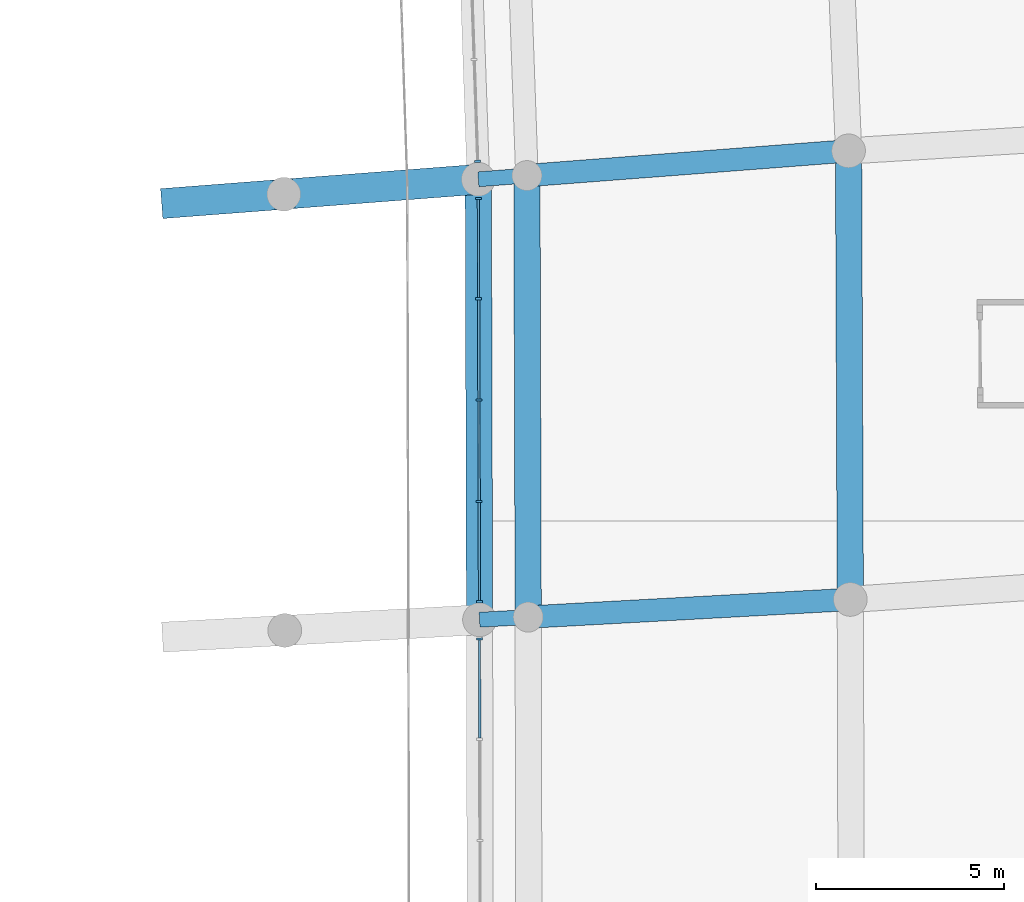
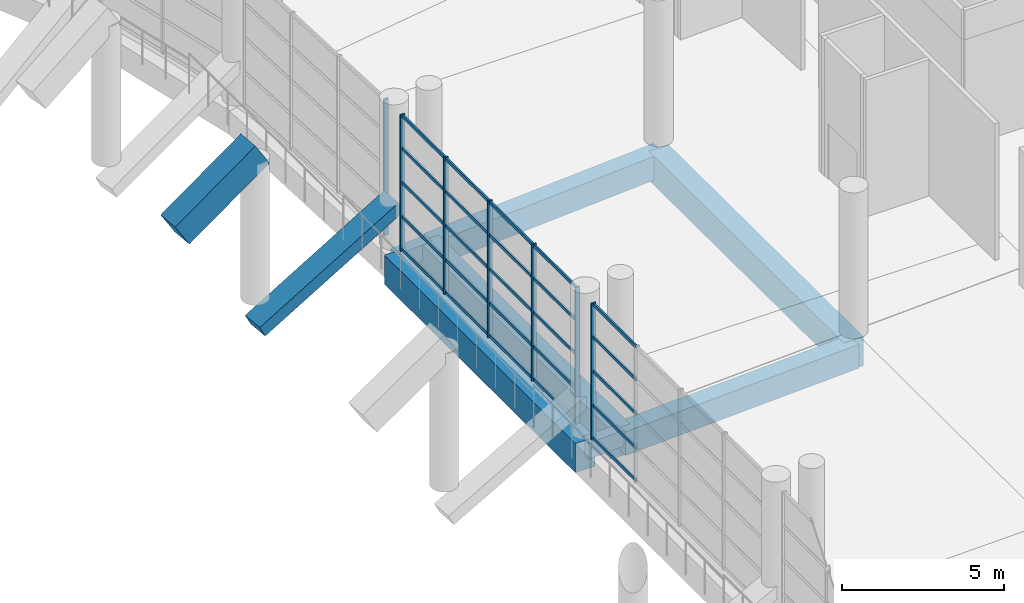
# One storey, part 92 of 271: 32 members, 9 beams, 3 elements without a shape of their own.
"""IFC4 building model written with IfcOpenShell, lengths in metres."""

from ifc_helpers import new_model, si_unit, direction, frame, origin, origin_2d, place, context, subcontext, project, spatial, rectangle, extrude, material, layer, layer_set, material_profile, profile_set, type_object, element, aggregate, save


model = new_model("IFC4")

# Units and contexts
model_context = context("Model", 3, precision=1e-05, world=origin(), true_north=direction((0.0, 1.0)))
body_context = subcontext(model_context, "Body", "Model", "MODEL_VIEW")
ifc_project = project(units=[si_unit("LENGTHUNIT", "METRE"), si_unit("AREAUNIT", "SQUARE_METRE"), si_unit("VOLUMEUNIT", "CUBIC_METRE"), si_unit("PLANEANGLEUNIT", "RADIAN"), si_unit("MASSUNIT", "GRAM", prefix="KILO")], contexts=[model_context])

# Site, building, storey
site_placement = place(None, origin())
site = spatial("IfcSite", under=ifc_project, at=site_placement, CompositionType="ELEMENT")
building_placement = place(site_placement, origin())
building = spatial("IfcBuilding", under=site, at=building_placement, Name="Meseta Stadium", CompositionType="ELEMENT")
storey_placement = place(building_placement, frame((0.0, 0.0, 6.5)))
storey = spatial("IfcBuildingStorey", under=building, at=storey_placement, Name="L01", CompositionType="ELEMENT", Elevation=6.5)

# Curtain wall, member
ifc_material_1 = material(Name="Aluminium", Category="aluminium")
ifc_layer = layer(ifc_material_1, 0.199951171875)
ifc_layer_set = layer_set([ifc_layer], Name="Club glazing curtain wall")
curtain_wall_type = type_object("IfcCurtainWallType", Name="Club glazing curtain wall", PredefinedType="NOTDEFINED", material=ifc_layer_set)
curtain_wall_1_placement = place(storey_placement, origin())
curtain_wall_1 = element("IfcCurtainWall", 1, at=curtain_wall_1_placement, inside=storey, type_object=curtain_wall_type, Name="Club glazing bay 06", PredefinedType="NOTDEFINED")
ifc_material_2 = material(Name="Aluminium", Category="aluminium")
ifc_material_profile_1 = material_profile(ifc_material_2, rectangle(XDim=0.159912109375, YDim=0.06005859375, at=origin_2d()), Name="CW 160x60")
ifc_profile_set_1 = profile_set([ifc_material_profile_1], Name="Aluminium")
member_type_1 = type_object("IfcMemberType", Name="CW mullion 60x160", PredefinedType="MULLION", material=ifc_profile_set_1)
member_1_placement = place(storey_placement, frame((63.567138671875, 28.8525390625, 0.0), z_axis=(0.0, 0.0, 1.0), x_axis=(-0.999998297516, -0.0018452545, 0.0)))
member_1 = element("IfcMember", 2, at=member_1_placement, type_object=member_type_1, Name="CWC mullion 5", PredefinedType="MULLION", context=body_context, shape_type="SweptSolid", body=[
    extrude(rectangle(XDim=0.159912109375, YDim=0.06005859375, at=origin_2d()), origin(), (0.0, 0.0, 1.0), 5.14990234375),
])

# Curtain wall, members
curtain_wall_2_placement = place(storey_placement, origin())
curtain_wall_2 = element("IfcCurtainWall", 3, at=curtain_wall_2_placement, inside=storey, type_object=curtain_wall_type, Name="Club glazing bay 07", PredefinedType="NOTDEFINED")
member_2_placement = place(storey_placement, frame((63.564697265625, 29.842041015625, 0.0), z_axis=(0.0, 0.0, 1.0), x_axis=(-0.999996195715, -0.002758360998, 0.0)))
member_2 = element("IfcMember", 4, at=member_2_placement, type_object=member_type_1, Name="CWC mullion 1", PredefinedType="MULLION", context=body_context, shape_type="SweptSolid", body=[
    extrude(rectangle(XDim=0.159912109375, YDim=0.06005859375, at=origin_2d()), origin(), (0.0, 0.0, 1.0), 5.14990234375),
])
member_3_placement = place(storey_placement, frame((63.557373046875, 32.51513671875, 0.0), z_axis=(0.0, 0.0, 1.0), x_axis=(-0.999996195715, -0.002758360998, 0.0)))
member_3 = element("IfcMember", 5, at=member_3_placement, type_object=member_type_1, Name="CWC mullion 2", PredefinedType="MULLION", context=body_context, shape_type="SweptSolid", body=[
    extrude(rectangle(XDim=0.159912109375, YDim=0.06005859375, at=origin_2d()), origin(), (0.0, 0.0, 1.0), 5.14990234375),
])
member_4_placement = place(storey_placement, frame((63.550048828125, 35.21826171875, 0.0), z_axis=(0.0, 0.0, 1.0), x_axis=(-0.999996195715, -0.002758360998, 0.0)))
member_4 = element("IfcMember", 6, at=member_4_placement, type_object=member_type_1, Name="CWC mullion 3", PredefinedType="MULLION", context=body_context, shape_type="SweptSolid", body=[
    extrude(rectangle(XDim=0.159912109375, YDim=0.06005859375, at=origin_2d()), origin(), (0.0, 0.0, 1.0), 5.14990234375),
])
member_5_placement = place(storey_placement, frame((63.54248046875, 37.92138671875, 0.0), z_axis=(0.0, 0.0, 1.0), x_axis=(-0.999996195715, -0.002758360998, 0.0)))
member_5 = element("IfcMember", 7, at=member_5_placement, type_object=member_type_1, Name="CWC mullion 4", PredefinedType="MULLION", context=body_context, shape_type="SweptSolid", body=[
    extrude(rectangle(XDim=0.159912109375, YDim=0.06005859375, at=origin_2d()), origin(), (0.0, 0.0, 1.0), 5.14990234375),
])
member_6_placement = place(storey_placement, frame((63.53515625, 40.59423828125, 0.0), z_axis=(0.0, 0.0, 1.0), x_axis=(-0.999996195715, -0.002758360998, 0.0)))
member_6 = element("IfcMember", 8, at=member_6_placement, type_object=member_type_1, Name="CWC mullion 5", PredefinedType="MULLION", context=body_context, shape_type="SweptSolid", body=[
    extrude(rectangle(XDim=0.159912109375, YDim=0.06005859375, at=origin_2d()), origin(), (0.0, 0.0, 1.0), 5.14990234375),
])

# Curtain wall, member
curtain_wall_3_placement = place(storey_placement, origin())
curtain_wall_3 = element("IfcCurtainWall", 9, at=curtain_wall_3_placement, inside=storey, type_object=curtain_wall_type, Name="Club glazing bay 08", PredefinedType="NOTDEFINED")
member_7_placement = place(storey_placement, frame((63.517333984375, 41.583740234375, 0.0), z_axis=(0.0, 0.0, 1.0), x_axis=(-0.999408203812, -0.034398287063, 0.0)))
member_7 = element("IfcMember", 10, at=member_7_placement, type_object=member_type_1, Name="CWC mullion 1", PredefinedType="MULLION", context=body_context, shape_type="SweptSolid", body=[
    extrude(rectangle(XDim=0.159912109375, YDim=0.06005859375, at=origin_2d()), origin(), (0.0, 0.0, 1.0), 5.14990234375),
])
aggregate(curtain_wall_3, [member_7])

# Member
ifc_material_3 = material(Name="Aluminium", Category="aluminium")
ifc_material_profile_2 = material_profile(ifc_material_3, rectangle(XDim=0.06005859375, YDim=0.1201171875, at=origin_2d()), Name="CW 60x120")
ifc_profile_set_2 = profile_set([ifc_material_profile_2], Name="Aluminium")
member_type_2 = type_object("IfcMemberType", Name="CW transom 60x120", PredefinedType="USERDEFINED", material=ifc_profile_set_2)
member_8_placement = place(storey_placement, frame((63.572021484375, 26.208984375, 0.06005859375), z_axis=(-0.001868282587, 0.999998254759, 0.0), x_axis=(-0.999998254759, -0.001868282587, 0.0)))
member_8 = element("IfcMember", 11, at=member_8_placement, type_object=member_type_2, Name="CWC transom 4.1", ObjectType="TRANSOM", PredefinedType="USERDEFINED", context=body_context, shape_type="SweptSolid", body=[
    extrude(rectangle(XDim=0.06005859375, YDim=0.1201171875, at=origin_2d()), origin(), (0.0, 0.0, 1.0), 2.613525390625),
])

member_9_placement = place(storey_placement, frame((63.572021484375, 26.208984375, 1.28759765625), z_axis=(-0.001868282587, 0.999998254759, 0.0), x_axis=(-0.999998254759, -0.001868282587, 0.0)))
member_9 = element("IfcMember", 12, at=member_9_placement, type_object=member_type_2, Name="CWC transom 4.2", ObjectType="TRANSOM", PredefinedType="USERDEFINED", context=body_context, shape_type="SweptSolid", body=[
    extrude(rectangle(XDim=0.06005859375, YDim=0.1201171875, at=origin_2d()), origin(), (0.0, 0.0, 1.0), 2.613525390625),
])

member_10_placement = place(storey_placement, frame((63.572021484375, 26.208984375, 2.574951171875), z_axis=(-0.001868282587, 0.999998254759, 0.0), x_axis=(-0.999998254759, -0.001868282587, 0.0)))
member_10 = element("IfcMember", 13, at=member_10_placement, type_object=member_type_2, Name="CWC transom 4.3", ObjectType="TRANSOM", PredefinedType="USERDEFINED", context=body_context, shape_type="SweptSolid", body=[
    extrude(rectangle(XDim=0.06005859375, YDim=0.1201171875, at=origin_2d()), origin(), (0.0, 0.0, 1.0), 2.613525390625),
])

member_11_placement = place(storey_placement, frame((63.572021484375, 26.208984375, 3.862548828125), z_axis=(-0.001868282587, 0.999998254759, 0.0), x_axis=(-0.999998254759, -0.001868282587, 0.0)))
member_11 = element("IfcMember", 14, at=member_11_placement, type_object=member_type_2, Name="CWC transom 4.4", ObjectType="TRANSOM", PredefinedType="USERDEFINED", context=body_context, shape_type="SweptSolid", body=[
    extrude(rectangle(XDim=0.06005859375, YDim=0.1201171875, at=origin_2d()), origin(), (0.0, 0.0, 1.0), 2.613525390625),
])

member_12_placement = place(storey_placement, frame((63.572021484375, 26.208984375, 5.090087890625), z_axis=(-0.001868282587, 0.999998254759, 0.0), x_axis=(-0.999998254759, -0.001868282587, 0.0)))
member_12 = element("IfcMember", 15, at=member_12_placement, type_object=member_type_2, Name="CWC transom 4.5", ObjectType="TRANSOM", PredefinedType="USERDEFINED", context=body_context, shape_type="SweptSolid", body=[
    extrude(rectangle(XDim=0.06005859375, YDim=0.1201171875, at=origin_2d()), origin(), (0.0, 0.0, 1.0), 2.613525390625),
])

aggregate(curtain_wall_1, [member_1, member_8, member_9, member_10, member_11, member_12])

member_13_placement = place(storey_placement, frame((63.564697265625, 29.8720703125, 0.06005859375), z_axis=(-0.002709510749, 0.999996329269, 0.0), x_axis=(-0.999996329269, -0.002709510749, 0.0)))
member_13 = element("IfcMember", 16, at=member_13_placement, type_object=member_type_2, Name="CWC transom 1.1", ObjectType="TRANSOM", PredefinedType="USERDEFINED", context=body_context, shape_type="SweptSolid", body=[
    extrude(rectangle(XDim=0.06005859375, YDim=0.1201171875, at=origin_2d()), origin(), (0.0, 0.0, 1.0), 2.613037109375),
])

member_14_placement = place(storey_placement, frame((63.564697265625, 29.8720703125, 1.28759765625), z_axis=(-0.002709510749, 0.999996329269, 0.0), x_axis=(-0.999996329269, -0.002709510749, 0.0)))
member_14 = element("IfcMember", 17, at=member_14_placement, type_object=member_type_2, Name="CWC transom 1.2", ObjectType="TRANSOM", PredefinedType="USERDEFINED", context=body_context, shape_type="SweptSolid", body=[
    extrude(rectangle(XDim=0.06005859375, YDim=0.1201171875, at=origin_2d()), origin(), (0.0, 0.0, 1.0), 2.613037109375),
])

member_15_placement = place(storey_placement, frame((63.564697265625, 29.8720703125, 2.574951171875), z_axis=(-0.002709510749, 0.999996329269, 0.0), x_axis=(-0.999996329269, -0.002709510749, 0.0)))
member_15 = element("IfcMember", 18, at=member_15_placement, type_object=member_type_2, Name="CWC transom 1.3", ObjectType="TRANSOM", PredefinedType="USERDEFINED", context=body_context, shape_type="SweptSolid", body=[
    extrude(rectangle(XDim=0.06005859375, YDim=0.1201171875, at=origin_2d()), origin(), (0.0, 0.0, 1.0), 2.613037109375),
])

member_16_placement = place(storey_placement, frame((63.564697265625, 29.8720703125, 3.862548828125), z_axis=(-0.002709510749, 0.999996329269, 0.0), x_axis=(-0.999996329269, -0.002709510749, 0.0)))
member_16 = element("IfcMember", 19, at=member_16_placement, type_object=member_type_2, Name="CWC transom 1.4", ObjectType="TRANSOM", PredefinedType="USERDEFINED", context=body_context, shape_type="SweptSolid", body=[
    extrude(rectangle(XDim=0.06005859375, YDim=0.1201171875, at=origin_2d()), origin(), (0.0, 0.0, 1.0), 2.613037109375),
])

member_17_placement = place(storey_placement, frame((63.564697265625, 29.8720703125, 5.090087890625), z_axis=(-0.002709510749, 0.999996329269, 0.0), x_axis=(-0.999996329269, -0.002709510749, 0.0)))
member_17 = element("IfcMember", 20, at=member_17_placement, type_object=member_type_2, Name="CWC transom 1.5", ObjectType="TRANSOM", PredefinedType="USERDEFINED", context=body_context, shape_type="SweptSolid", body=[
    extrude(rectangle(XDim=0.06005859375, YDim=0.1201171875, at=origin_2d()), origin(), (0.0, 0.0, 1.0), 2.613037109375),
])

member_18_placement = place(storey_placement, frame((63.557373046875, 32.545166015625, 0.06005859375), z_axis=(-0.002771095956, 0.999996160506, 0.0), x_axis=(-0.999996160506, -0.002771095956, 0.0)))
member_18 = element("IfcMember", 21, at=member_18_placement, type_object=member_type_2, Name="CWC transom 2.1", ObjectType="TRANSOM", PredefinedType="USERDEFINED", context=body_context, shape_type="SweptSolid", body=[
    extrude(rectangle(XDim=0.06005859375, YDim=0.1201171875, at=origin_2d()), origin(), (0.0, 0.0, 1.0), 2.64306640625),
])

member_19_placement = place(storey_placement, frame((63.557373046875, 32.545166015625, 1.28759765625), z_axis=(-0.002771095956, 0.999996160506, 0.0), x_axis=(-0.999996160506, -0.002771095956, 0.0)))
member_19 = element("IfcMember", 22, at=member_19_placement, type_object=member_type_2, Name="CWC transom 2.2", ObjectType="TRANSOM", PredefinedType="USERDEFINED", context=body_context, shape_type="SweptSolid", body=[
    extrude(rectangle(XDim=0.06005859375, YDim=0.1201171875, at=origin_2d()), origin(), (0.0, 0.0, 1.0), 2.64306640625),
])

member_20_placement = place(storey_placement, frame((63.557373046875, 32.545166015625, 2.574951171875), z_axis=(-0.002771095956, 0.999996160506, 0.0), x_axis=(-0.999996160506, -0.002771095956, 0.0)))
member_20 = element("IfcMember", 23, at=member_20_placement, type_object=member_type_2, Name="CWC transom 2.3", ObjectType="TRANSOM", PredefinedType="USERDEFINED", context=body_context, shape_type="SweptSolid", body=[
    extrude(rectangle(XDim=0.06005859375, YDim=0.1201171875, at=origin_2d()), origin(), (0.0, 0.0, 1.0), 2.64306640625),
])

member_21_placement = place(storey_placement, frame((63.557373046875, 32.545166015625, 3.862548828125), z_axis=(-0.002771095956, 0.999996160506, 0.0), x_axis=(-0.999996160506, -0.002771095956, 0.0)))
member_21 = element("IfcMember", 24, at=member_21_placement, type_object=member_type_2, Name="CWC transom 2.4", ObjectType="TRANSOM", PredefinedType="USERDEFINED", context=body_context, shape_type="SweptSolid", body=[
    extrude(rectangle(XDim=0.06005859375, YDim=0.1201171875, at=origin_2d()), origin(), (0.0, 0.0, 1.0), 2.64306640625),
])

member_22_placement = place(storey_placement, frame((63.557373046875, 32.545166015625, 5.090087890625), z_axis=(-0.002771095956, 0.999996160506, 0.0), x_axis=(-0.999996160506, -0.002771095956, 0.0)))
member_22 = element("IfcMember", 25, at=member_22_placement, type_object=member_type_2, Name="CWC transom 2.5", ObjectType="TRANSOM", PredefinedType="USERDEFINED", context=body_context, shape_type="SweptSolid", body=[
    extrude(rectangle(XDim=0.06005859375, YDim=0.1201171875, at=origin_2d()), origin(), (0.0, 0.0, 1.0), 2.64306640625),
])

member_23_placement = place(storey_placement, frame((63.5498046875, 35.248291015625, 0.06005859375), z_axis=(-0.002771095956, 0.999996160506, 0.0), x_axis=(-0.999996160506, -0.002771095956, 0.0)))
member_23 = element("IfcMember", 26, at=member_23_placement, type_object=member_type_2, Name="CWC transom 3.1", ObjectType="TRANSOM", PredefinedType="USERDEFINED", context=body_context, shape_type="SweptSolid", body=[
    extrude(rectangle(XDim=0.06005859375, YDim=0.1201171875, at=origin_2d()), origin(), (0.0, 0.0, 1.0), 2.64306640625),
])

member_24_placement = place(storey_placement, frame((63.5498046875, 35.248291015625, 1.28759765625), z_axis=(-0.002771095956, 0.999996160506, 0.0), x_axis=(-0.999996160506, -0.002771095956, 0.0)))
member_24 = element("IfcMember", 27, at=member_24_placement, type_object=member_type_2, Name="CWC transom 3.2", ObjectType="TRANSOM", PredefinedType="USERDEFINED", context=body_context, shape_type="SweptSolid", body=[
    extrude(rectangle(XDim=0.06005859375, YDim=0.1201171875, at=origin_2d()), origin(), (0.0, 0.0, 1.0), 2.64306640625),
])

member_25_placement = place(storey_placement, frame((63.5498046875, 35.248291015625, 2.574951171875), z_axis=(-0.002771095956, 0.999996160506, 0.0), x_axis=(-0.999996160506, -0.002771095956, 0.0)))
member_25 = element("IfcMember", 28, at=member_25_placement, type_object=member_type_2, Name="CWC transom 3.3", ObjectType="TRANSOM", PredefinedType="USERDEFINED", context=body_context, shape_type="SweptSolid", body=[
    extrude(rectangle(XDim=0.06005859375, YDim=0.1201171875, at=origin_2d()), origin(), (0.0, 0.0, 1.0), 2.64306640625),
])

member_26_placement = place(storey_placement, frame((63.5498046875, 35.248291015625, 3.862548828125), z_axis=(-0.002771095956, 0.999996160506, 0.0), x_axis=(-0.999996160506, -0.002771095956, 0.0)))
member_26 = element("IfcMember", 29, at=member_26_placement, type_object=member_type_2, Name="CWC transom 3.4", ObjectType="TRANSOM", PredefinedType="USERDEFINED", context=body_context, shape_type="SweptSolid", body=[
    extrude(rectangle(XDim=0.06005859375, YDim=0.1201171875, at=origin_2d()), origin(), (0.0, 0.0, 1.0), 2.64306640625),
])

member_27_placement = place(storey_placement, frame((63.5498046875, 35.248291015625, 5.090087890625), z_axis=(-0.002771095956, 0.999996160506, 0.0), x_axis=(-0.999996160506, -0.002771095956, 0.0)))
member_27 = element("IfcMember", 30, at=member_27_placement, type_object=member_type_2, Name="CWC transom 3.5", ObjectType="TRANSOM", PredefinedType="USERDEFINED", context=body_context, shape_type="SweptSolid", body=[
    extrude(rectangle(XDim=0.06005859375, YDim=0.1201171875, at=origin_2d()), origin(), (0.0, 0.0, 1.0), 2.64306640625),
])

member_28_placement = place(storey_placement, frame((63.54248046875, 37.951416015625, 0.06005859375), z_axis=(-0.002802941433, 0.999996071752, 0.0), x_axis=(-0.999996071752, -0.002802941433, 0.0)))
member_28 = element("IfcMember", 31, at=member_28_placement, type_object=member_type_2, Name="CWC transom 4.1", ObjectType="TRANSOM", PredefinedType="USERDEFINED", context=body_context, shape_type="SweptSolid", body=[
    extrude(rectangle(XDim=0.06005859375, YDim=0.1201171875, at=origin_2d()), origin(), (0.0, 0.0, 1.0), 2.613037109375),
])

member_29_placement = place(storey_placement, frame((63.54248046875, 37.951416015625, 1.28759765625), z_axis=(-0.002802941433, 0.999996071752, 0.0), x_axis=(-0.999996071752, -0.002802941433, 0.0)))
member_29 = element("IfcMember", 32, at=member_29_placement, type_object=member_type_2, Name="CWC transom 4.2", ObjectType="TRANSOM", PredefinedType="USERDEFINED", context=body_context, shape_type="SweptSolid", body=[
    extrude(rectangle(XDim=0.06005859375, YDim=0.1201171875, at=origin_2d()), origin(), (0.0, 0.0, 1.0), 2.613037109375),
])

member_30_placement = place(storey_placement, frame((63.54248046875, 37.951416015625, 2.574951171875), z_axis=(-0.002802941433, 0.999996071752, 0.0), x_axis=(-0.999996071752, -0.002802941433, 0.0)))
member_30 = element("IfcMember", 33, at=member_30_placement, type_object=member_type_2, Name="CWC transom 4.3", ObjectType="TRANSOM", PredefinedType="USERDEFINED", context=body_context, shape_type="SweptSolid", body=[
    extrude(rectangle(XDim=0.06005859375, YDim=0.1201171875, at=origin_2d()), origin(), (0.0, 0.0, 1.0), 2.613037109375),
])

member_31_placement = place(storey_placement, frame((63.54248046875, 37.951416015625, 3.862548828125), z_axis=(-0.002802941433, 0.999996071752, 0.0), x_axis=(-0.999996071752, -0.002802941433, 0.0)))
member_31 = element("IfcMember", 34, at=member_31_placement, type_object=member_type_2, Name="CWC transom 4.4", ObjectType="TRANSOM", PredefinedType="USERDEFINED", context=body_context, shape_type="SweptSolid", body=[
    extrude(rectangle(XDim=0.06005859375, YDim=0.1201171875, at=origin_2d()), origin(), (0.0, 0.0, 1.0), 2.613037109375),
])

member_32_placement = place(storey_placement, frame((63.54248046875, 37.951416015625, 5.090087890625), z_axis=(-0.002802941433, 0.999996071752, 0.0), x_axis=(-0.999996071752, -0.002802941433, 0.0)))
member_32 = element("IfcMember", 35, at=member_32_placement, type_object=member_type_2, Name="CWC transom 4.5", ObjectType="TRANSOM", PredefinedType="USERDEFINED", context=body_context, shape_type="SweptSolid", body=[
    extrude(rectangle(XDim=0.06005859375, YDim=0.1201171875, at=origin_2d()), origin(), (0.0, 0.0, 1.0), 2.613037109375),
])

aggregate(curtain_wall_2, [member_2, member_3, member_4, member_5, member_6, member_13, member_14, member_15, member_16, member_17, member_18, member_19, member_20, member_21, member_22, member_23, member_24, member_25, member_26, member_27, member_28, member_29, member_30, member_31, member_32])

# Beams
ifc_material_4 = material(Name="Concrete C40/50", Category="concrete")
ifc_material_profile_3 = material_profile(ifc_material_4, rectangle(XDim=0.39990234375, YDim=0.60009765625, at=origin_2d()), Name="RC 400x600")
ifc_profile_set_3 = profile_set([ifc_material_profile_3], Name="Concrete C40/50")
beam_type_1 = type_object("IfcBeamType", Name="RC beam 400x600", PredefinedType="BEAM", material=ifc_profile_set_3)
for number, where, z_axis, x_axis, name in (
    (36, (63.566162109375, 29.3623046875, -0.64990234375), (0.998505663725, 0.054648325775, 0.0), (-0.054648325775, 0.998505663725, 0.0), "L01 radial beam frame 7 line C to D"),
    (37, (63.53369140625, 41.1044921875, -0.64990234375), (0.99706000661, 0.076624690657, 0.0), (-0.076624690657, 0.99706000661, 0.0), "L01 radial beam frame 8 line C to D"),
):
    element("IfcBeam", number, at=place(storey_placement, frame(where, z_axis=z_axis, x_axis=x_axis)), inside=storey, type_object=beam_type_1, Name=name, PredefinedType="BEAM", context=body_context, shape_type="SweptSolid", body=[
        extrude(rectangle(XDim=0.39990234375, YDim=0.60009765625, at=origin_2d()), origin(), (0.0, 0.0, 1.0), 1.300048828125),
    ])
ifc_material_5 = material(Name="Concrete C40/50", Category="concrete")
ifc_material_profile_4 = material_profile(ifc_material_5, rectangle(XDim=0.60009765625, YDim=0.89990234375, at=origin_2d()), Name="RC 600x900")
ifc_profile_set_4 = profile_set([ifc_material_profile_4], Name="Concrete C40/50")
beam_type_2 = type_object("IfcBeamType", Name="RC beam 600x900", PredefinedType="BEAM", material=ifc_profile_set_4)
for number, where, z_axis, x_axis, name in (
    (38, (64.8642578125, 29.433349609375, -0.800048828125), (0.998501047384, 0.054732607948, 0.0), (-0.054732607948, 0.998501047384, 0.0), "L01 radial beam frame 7 line D to E"),
    (39, (64.829833984375, 41.2041015625, -0.800048828125), (0.997066996267, 0.076533685105, 0.0), (-0.076533685105, 0.997066996267, 0.0), "L01 radial beam frame 8 line D to E"),
):
    element("IfcBeam", number, at=place(storey_placement, frame(where, z_axis=z_axis, x_axis=x_axis)), inside=storey, type_object=beam_type_2, Name=name, PredefinedType="BEAM", context=body_context, shape_type="SweptSolid", body=[
        extrude(rectangle(XDim=0.60009765625, YDim=0.89990234375, at=origin_2d()), origin(), (0.0, 0.0, 1.0), 8.60009765625),
    ])
ifc_material_6 = material(Name="Concrete C40/50", Category="concrete")
ifc_material_profile_5 = material_profile(ifc_material_6, rectangle(XDim=0.699951171875, YDim=1.10009765625, at=origin_2d()), Name="RC 700x1100")
ifc_profile_set_5 = profile_set([ifc_material_profile_5], Name="Concrete C40/50")
beam_type_3 = type_object("IfcBeamType", Name="RC beam 700x1100", PredefinedType="BEAM", material=ifc_profile_set_5)
beam_1_placement = place(storey_placement, frame((63.566162109375, 29.3623046875, -0.89990234375), z_axis=(-0.002765292155, 0.999996176572, 0.0), x_axis=(-0.999996176572, -0.002765292155, 0.0)))
element("IfcBeam", 40, at=beam_1_placement, inside=storey, type_object=beam_type_3, Name="L01 ring beam frame 7 line C", PredefinedType="BEAM", context=body_context, shape_type="SweptSolid", body=[
    extrude(rectangle(XDim=0.699951171875, YDim=1.10009765625, at=origin_2d()), origin(), (0.0, 0.0, 1.0), 11.7421875),
])
beam_2_placement = place(storey_placement, frame((64.8642578125, 29.433349609375, -0.89990234375), z_axis=(-0.002924509925, 0.999995723612, 0.0), x_axis=(-0.999995723612, -0.002924509925, 0.0)))
element("IfcBeam", 41, at=beam_2_placement, inside=storey, type_object=beam_type_3, Name="L01 ring beam frame 7 line D", PredefinedType="BEAM", context=body_context, shape_type="SweptSolid", body=[
    extrude(rectangle(XDim=0.699951171875, YDim=1.10009765625, at=origin_2d()), origin(), (0.0, 0.0, 1.0), 11.770751953125),
])
beam_3_placement = place(storey_placement, frame((73.451416015625, 29.904052734375, -0.89990234375), z_axis=(-0.003899441576, 0.999992397149, 0.0), x_axis=(-0.999992397149, -0.003899441576, 0.0)))
element("IfcBeam", 42, at=beam_3_placement, inside=storey, type_object=beam_type_3, Name="L01 ring beam frame 7 line E", PredefinedType="BEAM", context=body_context, shape_type="SweptSolid", body=[
    extrude(rectangle(XDim=0.699951171875, YDim=1.10009765625, at=origin_2d()), origin(), (0.0, 0.0, 1.0), 11.958251953125),
])
ifc_material_7 = material(Name="Concrete C40/50", Category="concrete")
ifc_material_profile_6 = material_profile(ifc_material_7, rectangle(XDim=0.800048828125, YDim=0.449951171875, at=origin_2d()), Name="RC 800x450")
ifc_profile_set_6 = profile_set([ifc_material_profile_6], Name="Concrete C40/50")
beam_type_4 = type_object("IfcBeamType", Name="RC raker lower 800x450", PredefinedType="USERDEFINED", material=ifc_profile_set_6)
beam_4_placement = place(storey_placement, frame((58.34912109375, 40.70654296875, -1.083740234375), z_axis=(0.888226455313, 0.068177110669, 0.454318881033), x_axis=(-0.076531338178, 0.997067176411, 0.0)))
element("IfcBeam", 43, at=beam_4_placement, inside=storey, type_object=beam_type_4, Name="Raker lower frame 8 lower tier", ObjectType="RAKER", PredefinedType="USERDEFINED", context=body_context, shape_type="SweptSolid", body=[
    extrude(rectangle(XDim=0.800048828125, YDim=0.449951171875, at=origin_2d()), origin(), (0.0, 0.0, 1.0), 5.8369140625),
])
ifc_material_8 = material(Name="Concrete C40/50", Category="concrete")
ifc_material_profile_7 = material_profile(ifc_material_8, rectangle(XDim=0.800048828125, YDim=1.0, at=origin_2d()), Name="RC 800x1000")
ifc_profile_set_7 = profile_set([ifc_material_profile_7], Name="Concrete C40/50")
beam_type_5 = type_object("IfcBeamType", Name="RC raker upper front 800x1000", PredefinedType="USERDEFINED", material=ifc_profile_set_7)
beam_5_placement = place(storey_placement, frame((55.35791015625, 40.47705078125, 3.728515625), z_axis=(0.845544536475, 0.064872009818, 0.52994910999), x_axis=(-0.076497355304, 0.997069784234, 0.0)))
element("IfcBeam", 44, at=beam_5_placement, inside=storey, type_object=beam_type_5, Name="Raker upper front frame 8 upper tier", ObjectType="RAKER", PredefinedType="USERDEFINED", context=body_context, shape_type="SweptSolid", body=[
    extrude(rectangle(XDim=0.800048828125, YDim=1.0, at=origin_2d()), origin(), (0.0, 0.0, 1.0), 3.53759765625),
])

save(model, "model.ifc")
